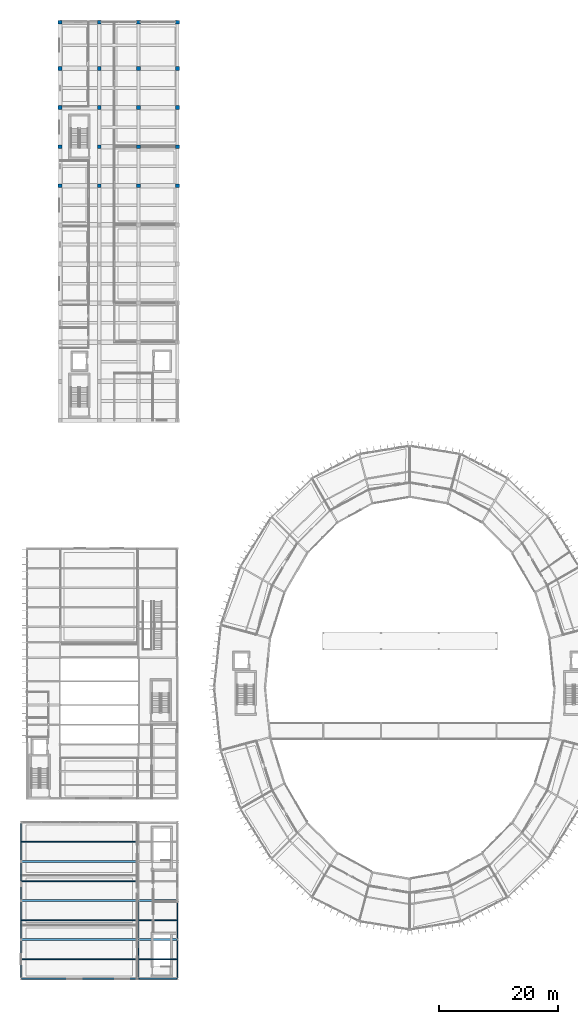
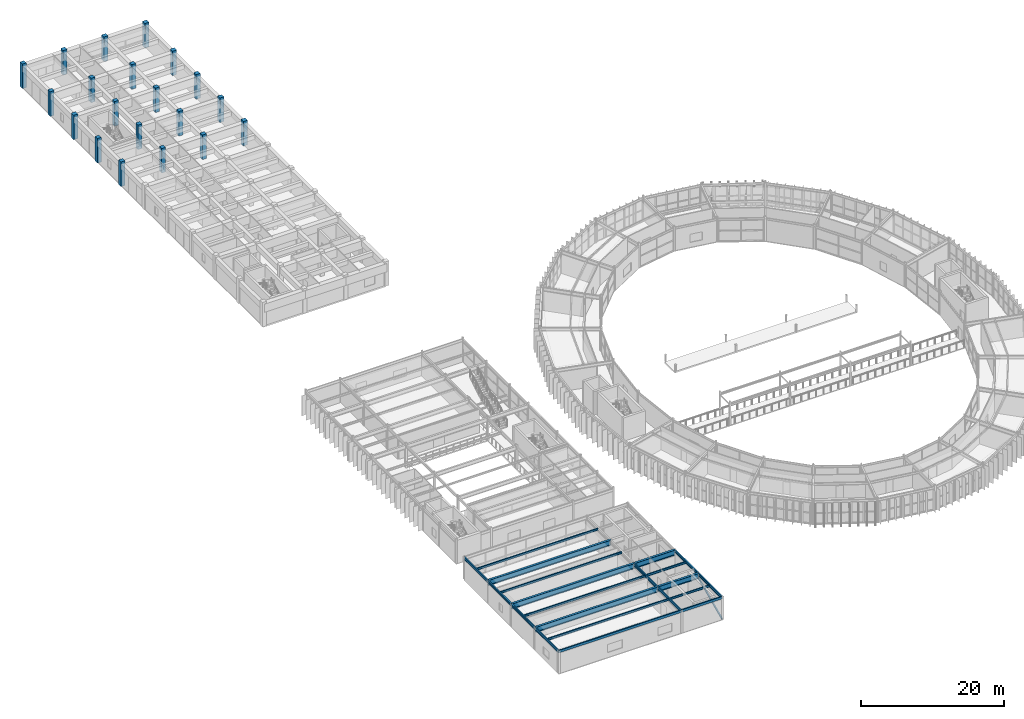
# One storey, part 18 of 147: 21 beams, 20 columns, 1 member.
"""IFC4 building model written with IfcOpenShell, lengths in metres."""

from ifc_helpers import new_model, si_unit, direction, frame, origin, origin_2d, place, context, subcontext, project, spatial, rectangle, hollow_rectangle, i_section, extrude, material, material_profile, profile_set, type_object, element, save


model = new_model("IFC4")

# Units and contexts
model_context = context("Model", 3, precision=1e-05, world=origin(), true_north=direction((0.0, 1.0)))
body_context = subcontext(model_context, "Body", "Model", "MODEL_VIEW")
ifc_project = project(units=[si_unit("LENGTHUNIT", "METRE"), si_unit("AREAUNIT", "SQUARE_METRE"), si_unit("VOLUMEUNIT", "CUBIC_METRE"), si_unit("PLANEANGLEUNIT", "RADIAN"), si_unit("MASSUNIT", "GRAM", prefix="KILO")], contexts=[model_context])

# Site, building, storey
site_placement = place(None, origin())
site = spatial("IfcSite", under=ifc_project, at=site_placement, CompositionType="ELEMENT")
building_placement = place(site_placement, origin())
building = spatial("IfcBuilding", under=site, at=building_placement, Name="Karori Crest Natural Sciences Institute", CompositionType="ELEMENT")
storey_placement = place(building_placement, frame((0.0, 0.0, 9.10009765625)))
storey = spatial("IfcBuildingStorey", under=building, at=storey_placement, Name="L02", CompositionType="ELEMENT", Elevation=9.10009765625)

# Columns
ifc_material_1 = material(Name="Concrete 50 MPa", Category="concrete")
ifc_material_profile_1 = material_profile(ifc_material_1, rectangle(XDim=0.64990234375, YDim=0.64990234375, at=origin_2d()), Name="RC650x650")
ifc_profile_set_1 = profile_set([ifc_material_profile_1], Name="Concrete 50 MPa")
column_type_1 = type_object("IfcColumnType", Name="CT-19", PredefinedType="COLUMN", material=ifc_profile_set_1)
for number, where, z_axis, x_axis, name in (
    (1, (7.39990234375, 134.60009765625, 0.0), (0.0, 0.0, 1.0), (1.0, 0.0, 0.0), "Column C-0758"),
    (2, (7.39990234375, 141.199951171875, 0.0), (0.0, 0.0, 1.0), (1.0, 0.0, 0.0), "Column C-0765"),
    (3, (7.39990234375, 147.800048828125, 0.0), (0.0, 0.0, 1.0), (1.0, 0.0, 0.0), "Column C-0772"),
    (4, (7.39990234375, 154.39990234375, 0.0), (0.0, 0.0, 1.0), (1.0, 0.0, 0.0), "Column C-0779"),
    (5, (7.39990234375, 162.199951171875, 0.0), (0.0, 0.0, 1.0), (1.0, 0.0, 0.0), "Column C-0784"),
    (6, (14.0, 162.199951171875, 0.0), (0.0, 0.0, 1.0), (1.0, 0.0, 0.0), "Column C-0861"),
    (7, (20.60009765625, 162.199951171875, 0.0), (0.0, 0.0, 1.0), (1.0, 0.0, 0.0), "Column C-0938"),
    (8, (27.199951171875, 134.60009765625, 0.0), (0.0, 0.0, 1.0), (1.0, 0.0, 0.0), "Column C-0989"),
    (9, (27.199951171875, 141.199951171875, 0.0), (0.0, 0.0, 1.0), (1.0, 0.0, 0.0), "Column C-0996"),
    (10, (27.199951171875, 147.800048828125, 0.0), (0.0, 0.0, 1.0), (1.0, 0.0, 0.0), "Column C-1003"),
    (11, (27.199951171875, 154.39990234375, 0.0), (0.0, 0.0, 1.0), (1.0, 0.0, 0.0), "Column C-1010"),
    (12, (27.199951171875, 162.199951171875, 0.0), (0.0, 0.0, 1.0), (1.0, 0.0, 0.0), "Column C-1015"),
):
    element("IfcColumn", number, at=place(storey_placement, frame(where, z_axis=z_axis, x_axis=x_axis)), inside=storey, type_object=column_type_1, Name=name, PredefinedType="COLUMN", context=body_context, shape_type="SweptSolid", body=[
        extrude(rectangle(XDim=0.64990234375, YDim=0.64990234375, at=origin_2d()), origin(), (0.0, 0.0, 1.0), 4.199951171875),
    ])
ifc_material_profile_2 = material_profile(ifc_material_1, rectangle(XDim=0.64990234375, YDim=0.64990234375, at=origin_2d()), Name="RC650x650")
ifc_profile_set_2 = profile_set([ifc_material_profile_2], Name="Concrete 50 MPa")
column_type_2 = type_object("IfcColumnType", Name="CT-19-IL", PredefinedType="COLUMN", material=ifc_profile_set_2)
for number, where, z_axis, x_axis, name in (
    (13, (14.0, 134.60009765625, 0.0), (0.0, 0.0, 1.0), (1.0, 0.0, 0.0), "Column C-0835"),
    (14, (14.0, 141.199951171875, 0.0), (0.0, 0.0, 1.0), (1.0, 0.0, 0.0), "Column C-0842"),
    (15, (14.0, 147.800048828125, 0.0), (0.0, 0.0, 1.0), (1.0, 0.0, 0.0), "Column C-0849"),
    (16, (14.0, 154.39990234375, 0.0), (0.0, 0.0, 1.0), (1.0, 0.0, 0.0), "Column C-0856"),
    (17, (20.60009765625, 134.60009765625, 0.0), (0.0, 0.0, 1.0), (1.0, 0.0, 0.0), "Column C-0912"),
    (18, (20.60009765625, 141.199951171875, 0.0), (0.0, 0.0, 1.0), (1.0, 0.0, 0.0), "Column C-0919"),
    (19, (20.60009765625, 147.800048828125, 0.0), (0.0, 0.0, 1.0), (1.0, 0.0, 0.0), "Column C-0926"),
    (20, (20.60009765625, 154.39990234375, 0.0), (0.0, 0.0, 1.0), (1.0, 0.0, 0.0), "Column C-0933"),
):
    element("IfcColumn", number, at=place(storey_placement, frame(where, z_axis=z_axis, x_axis=x_axis)), inside=storey, type_object=column_type_2, Name=name, PredefinedType="COLUMN", context=body_context, shape_type="SweptSolid", body=[
        extrude(rectangle(XDim=0.64990234375, YDim=0.64990234375, at=origin_2d()), origin(), (0.0, 0.0, 1.0), 4.199951171875),
    ])

# Beams
ifc_material_2 = material(Name="Structural steel AS/NZS 3679.1 Grade 350", Category="steel")
ifc_material_profile_3 = material_profile(ifc_material_2, i_section(OverallWidth=0.35009765625, OverallDepth=0.907958984375, WebThickness=0.01611328125, FlangeThickness=0.028076171875, FilletRadius=0.01611328125, at=origin_2d()), Name="900WB257")
ifc_profile_set_3 = profile_set([ifc_material_profile_3], Name="Structural steel AS/NZS 3679.1 Grade 350")
beam_type_1 = type_object("IfcBeamType", Name="BT-01", PredefinedType="BEAM", material=ifc_profile_set_3)
beam_1_placement = place(storey_placement, frame((0.800048828125, 7.39990234375, 3.4658203125), z_axis=(1.0, 0.0, 0.0), x_axis=(0.0, 1.0, 0.0)))
element("IfcBeam", 21, at=beam_1_placement, inside=storey, type_object=beam_type_1, Name="Beam B-0845", PredefinedType="BEAM", context=body_context, shape_type="SweptSolid", body=[
    extrude(i_section(OverallWidth=0.35009765625, OverallDepth=0.907958984375, WebThickness=0.01611328125, FlangeThickness=0.028076171875, FilletRadius=0.01611328125, at=origin_2d()), origin(), (0.0, 0.0, 1.0), 19.800048828125),
])
beam_2_placement = place(storey_placement, frame((20.60009765625, 7.39990234375, 3.4658203125), z_axis=(1.0, 0.0, 0.0), x_axis=(0.0, 1.0, 0.0)))
element("IfcBeam", 22, at=beam_2_placement, inside=storey, type_object=beam_type_1, Name="Beam B-0846", PredefinedType="BEAM", context=body_context, shape_type="SweptSolid", body=[
    extrude(i_section(OverallWidth=0.35009765625, OverallDepth=0.907958984375, WebThickness=0.01611328125, FlangeThickness=0.028076171875, FilletRadius=0.01611328125, at=origin_2d()), origin(), (0.0, 0.0, 1.0), 6.599853515625),
])
beam_3_placement = place(storey_placement, frame((0.800048828125, 14.0, 3.4658203125), z_axis=(1.0, 0.0, 0.0), x_axis=(0.0, 1.0, 0.0)))
element("IfcBeam", 23, at=beam_3_placement, inside=storey, type_object=beam_type_1, Name="Beam B-0847", PredefinedType="BEAM", context=body_context, shape_type="SweptSolid", body=[
    extrude(i_section(OverallWidth=0.35009765625, OverallDepth=0.907958984375, WebThickness=0.01611328125, FlangeThickness=0.028076171875, FilletRadius=0.01611328125, at=origin_2d()), origin(), (0.0, 0.0, 1.0), 19.800048828125),
])
beam_4_placement = place(storey_placement, frame((20.60009765625, 14.0, 3.4658203125), z_axis=(1.0, 0.0, 0.0), x_axis=(0.0, 1.0, 0.0)))
element("IfcBeam", 24, at=beam_4_placement, inside=storey, type_object=beam_type_1, Name="Beam B-0848", PredefinedType="BEAM", context=body_context, shape_type="SweptSolid", body=[
    extrude(i_section(OverallWidth=0.35009765625, OverallDepth=0.907958984375, WebThickness=0.01611328125, FlangeThickness=0.028076171875, FilletRadius=0.01611328125, at=origin_2d()), origin(), (0.0, 0.0, 1.0), 6.599853515625),
])
beam_5_placement = place(storey_placement, frame((0.800048828125, 20.60009765625, 3.4658203125), z_axis=(1.0, 0.0, 0.0), x_axis=(0.0, 1.0, 0.0)))
element("IfcBeam", 25, at=beam_5_placement, inside=storey, type_object=beam_type_1, Name="Beam B-0849", PredefinedType="BEAM", context=body_context, shape_type="SweptSolid", body=[
    extrude(i_section(OverallWidth=0.35009765625, OverallDepth=0.907958984375, WebThickness=0.01611328125, FlangeThickness=0.028076171875, FilletRadius=0.01611328125, at=origin_2d()), origin(), (0.0, 0.0, 1.0), 19.800048828125),
])
ifc_material_profile_4 = material_profile(ifc_material_2, i_section(OverallWidth=0.19091796875, OverallDepth=0.4599609375, WebThickness=0.010009765625, FlangeThickness=0.01611328125, FilletRadius=0.010986328125, at=origin_2d()), Name="460UB82.1")
ifc_profile_set_4 = profile_set([ifc_material_profile_4], Name="Structural steel AS/NZS 3679.1 Grade 350")
beam_type_2 = type_object("IfcBeamType", Name="BT-06", PredefinedType="BEAM", material=ifc_profile_set_4)
beam_6_placement = place(storey_placement, frame((20.60009765625, 0.800048828125, 3.68994140625), z_axis=(0.0, 1.0, 0.0), x_axis=(-1.0, 0.0, 0.0)))
element("IfcBeam", 26, at=beam_6_placement, inside=storey, type_object=beam_type_2, Name="Beam B-0857", PredefinedType="BEAM", context=body_context, shape_type="SweptSolid", body=[
    extrude(i_section(OverallWidth=0.19091796875, OverallDepth=0.4599609375, WebThickness=0.010009765625, FlangeThickness=0.01611328125, FilletRadius=0.010986328125, at=origin_2d()), origin(), (0.0, 0.0, 1.0), 6.599853515625),
])
beam_7_placement = place(storey_placement, frame((20.60009765625, 7.39990234375, 3.68994140625), z_axis=(0.0, 1.0, 0.0), x_axis=(-1.0, 0.0, 0.0)))
element("IfcBeam", 27, at=beam_7_placement, inside=storey, type_object=beam_type_2, Name="Beam B-0858", PredefinedType="BEAM", context=body_context, shape_type="SweptSolid", body=[
    extrude(i_section(OverallWidth=0.19091796875, OverallDepth=0.4599609375, WebThickness=0.010009765625, FlangeThickness=0.01611328125, FilletRadius=0.010986328125, at=origin_2d()), origin(), (0.0, 0.0, 1.0), 6.60009765625),
])
ifc_material_profile_5 = material_profile(ifc_material_2, i_section(OverallWidth=0.19091796875, OverallDepth=0.4599609375, WebThickness=0.010009765625, FlangeThickness=0.01611328125, FilletRadius=0.010986328125, at=origin_2d()), Name="460UB82.1")
ifc_profile_set_5 = profile_set([ifc_material_profile_5], Name="Structural steel AS/NZS 3679.1 Grade 350")
beam_type_3 = type_object("IfcBeamType", Name="BT-06-EL", PredefinedType="BEAM", material=ifc_profile_set_5)
beam_8_placement = place(storey_placement, frame((0.800048828125, 0.800048828125, 3.68994140625), z_axis=(0.0, 1.0, 0.0), x_axis=(-1.0, 0.0, 0.0)))
element("IfcBeam", 28, at=beam_8_placement, inside=storey, type_object=beam_type_3, Name="Beam B-0853", PredefinedType="BEAM", context=body_context, shape_type="SweptSolid", body=[
    extrude(i_section(OverallWidth=0.19091796875, OverallDepth=0.4599609375, WebThickness=0.010009765625, FlangeThickness=0.01611328125, FilletRadius=0.010986328125, at=origin_2d()), origin(), (0.0, 0.0, 1.0), 6.599853515625),
])
for number, where, z_axis, x_axis, name in (
    (29, (0.800048828125, 7.39990234375, 3.68994140625), (0.0, 1.0, 0.0), (-1.0, 0.0, 0.0), "Beam B-0854"),
    (30, (0.800048828125, 14.0, 3.68994140625), (0.0, 1.0, 0.0), (-1.0, 0.0, 0.0), "Beam B-0855"),
):
    element("IfcBeam", number, at=place(storey_placement, frame(where, z_axis=z_axis, x_axis=x_axis)), inside=storey, type_object=beam_type_3, Name=name, PredefinedType="BEAM", context=body_context, shape_type="SweptSolid", body=[
        extrude(i_section(OverallWidth=0.19091796875, OverallDepth=0.4599609375, WebThickness=0.010009765625, FlangeThickness=0.01611328125, FilletRadius=0.010986328125, at=origin_2d()), origin(), (0.0, 0.0, 1.0), 6.60009765625),
    ])
for number, where, z_axis, x_axis, name in (
    (31, (0.800048828125, 20.60009765625, 3.68994140625), (0.0, 1.0, 0.0), (-1.0, 0.0, 0.0), "Beam B-0856"),
    (32, (27.199951171875, 0.800048828125, 3.68994140625), (0.0, 1.0, 0.0), (-1.0, 0.0, 0.0), "Beam B-0861"),
):
    element("IfcBeam", number, at=place(storey_placement, frame(where, z_axis=z_axis, x_axis=x_axis)), inside=storey, type_object=beam_type_3, Name=name, PredefinedType="BEAM", context=body_context, shape_type="SweptSolid", body=[
        extrude(i_section(OverallWidth=0.19091796875, OverallDepth=0.4599609375, WebThickness=0.010009765625, FlangeThickness=0.01611328125, FilletRadius=0.010986328125, at=origin_2d()), origin(), (0.0, 0.0, 1.0), 6.599853515625),
    ])
beam_9_placement = place(storey_placement, frame((27.199951171875, 7.39990234375, 3.68994140625), z_axis=(0.0, 1.0, 0.0), x_axis=(-1.0, 0.0, 0.0)))
element("IfcBeam", 33, at=beam_9_placement, inside=storey, type_object=beam_type_3, Name="Beam B-0862", PredefinedType="BEAM", context=body_context, shape_type="SweptSolid", body=[
    extrude(i_section(OverallWidth=0.19091796875, OverallDepth=0.4599609375, WebThickness=0.010009765625, FlangeThickness=0.01611328125, FilletRadius=0.010986328125, at=origin_2d()), origin(), (0.0, 0.0, 1.0), 6.60009765625),
])
ifc_material_profile_6 = material_profile(ifc_material_2, i_section(OverallWidth=0.172119140625, OverallDepth=0.35888671875, WebThickness=0.008056640625, FlangeThickness=0.012939453125, FilletRadius=0.010986328125, at=origin_2d()), Name="360UB56.7")
ifc_profile_set_6 = profile_set([ifc_material_profile_6], Name="Structural steel AS/NZS 3679.1 Grade 350")
beam_type_4 = type_object("IfcBeamType", Name="BT-08", PredefinedType="BEAM", material=ifc_profile_set_6)
for number, where, z_axis, x_axis, name in (
    (34, (0.8955078125, 4.10009765625, 3.740478515625), (1.0, 0.0, 0.0), (0.0, 1.0, 0.0), "Beam B-0865"),
    (35, (0.8955078125, 10.699951171875, 3.740478515625), (1.0, 0.0, 0.0), (0.0, 1.0, 0.0), "Beam B-0866"),
    (36, (0.8955078125, 17.300048828125, 3.740478515625), (1.0, 0.0, 0.0), (0.0, 1.0, 0.0), "Beam B-0867"),
    (37, (0.8955078125, 23.89990234375, 3.740478515625), (1.0, 0.0, 0.0), (0.0, 1.0, 0.0), "Beam B-0868"),
):
    element("IfcBeam", number, at=place(storey_placement, frame(where, z_axis=z_axis, x_axis=x_axis)), inside=storey, type_object=beam_type_4, Name=name, PredefinedType="BEAM", context=body_context, shape_type="SweptSolid", body=[
        extrude(i_section(OverallWidth=0.172119140625, OverallDepth=0.35888671875, WebThickness=0.008056640625, FlangeThickness=0.012939453125, FilletRadius=0.010986328125, at=origin_2d()), origin(), (0.0, 0.0, 1.0), 19.60888671875),
    ])
for number, where, z_axis, x_axis, name in (
    (38, (20.695556640625, 4.10009765625, 3.740478515625), (1.0, 0.0, 0.0), (0.0, 1.0, 0.0), "Beam B-0869"),
    (39, (20.695556640625, 10.699951171875, 3.740478515625), (1.0, 0.0, 0.0), (0.0, 1.0, 0.0), "Beam B-0870"),
):
    element("IfcBeam", number, at=place(storey_placement, frame(where, z_axis=z_axis, x_axis=x_axis)), inside=storey, type_object=beam_type_4, Name=name, PredefinedType="BEAM", context=body_context, shape_type="SweptSolid", body=[
        extrude(i_section(OverallWidth=0.172119140625, OverallDepth=0.35888671875, WebThickness=0.008056640625, FlangeThickness=0.012939453125, FilletRadius=0.010986328125, at=origin_2d()), origin(), (0.0, 0.0, 1.0), 6.408935546875),
    ])
ifc_material_3 = material(Name="Hollow structural steel AS/NZS 1163 Grade C350", Category="steel")
ifc_material_profile_7 = material_profile(ifc_material_3, hollow_rectangle(XDim=0.199951171875, YDim=0.39990234375, WallThickness=0.012451171875, at=origin_2d()), Name="RHS400x200x12.5")
ifc_profile_set_7 = profile_set([ifc_material_profile_7], Name="Hollow structural steel AS/NZS 1163 Grade C350")
beam_type_5 = type_object("IfcBeamType", Name="BT-14", PredefinedType="SPANDREL", material=ifc_profile_set_7)
beam_10_placement = place(storey_placement, frame((0.800048828125, 0.800048828125, 3.719970703125), z_axis=(1.0, 0.0, 0.0), x_axis=(0.0, 1.0, 0.0)))
element("IfcBeam", 40, at=beam_10_placement, inside=storey, type_object=beam_type_5, Name="Beam B-0843", PredefinedType="SPANDREL", context=body_context, shape_type="SweptSolid", body=[
    extrude(hollow_rectangle(XDim=0.199951171875, YDim=0.39990234375, WallThickness=0.012451171875, at=origin_2d()), origin(), (0.0, 0.0, 1.0), 19.800048828125),
])
beam_11_placement = place(storey_placement, frame((20.60009765625, 0.800048828125, 3.719970703125), z_axis=(1.0, 0.0, 0.0), x_axis=(0.0, 1.0, 0.0)))
element("IfcBeam", 41, at=beam_11_placement, inside=storey, type_object=beam_type_5, Name="Beam B-0844", PredefinedType="SPANDREL", context=body_context, shape_type="SweptSolid", body=[
    extrude(hollow_rectangle(XDim=0.199951171875, YDim=0.39990234375, WallThickness=0.012451171875, at=origin_2d()), origin(), (0.0, 0.0, 1.0), 6.599853515625),
])

# Member
ifc_material_profile_8 = material_profile(ifc_material_3, hollow_rectangle(XDim=0.199951171875, YDim=0.199951171875, WallThickness=0.010009765625, at=origin_2d()), Name="SHS200x200x10")
ifc_profile_set_8 = profile_set([ifc_material_profile_8], Name="Hollow structural steel AS/NZS 1163 Grade C350")
member_type = type_object("IfcMemberType", Name="MT-04", PredefinedType="BRACE", material=ifc_profile_set_8)
member_placement = place(storey_placement, frame((27.199951171875, 0.800048828125, 0.010009765625), z_axis=(0.0, 0.909740785747, 0.415176712676), x_axis=(-1.0, 0.0, 0.0)))
element("IfcMember", 42, at=member_placement, inside=storey, type_object=member_type, Name="Diagonal Brace M-0247", PredefinedType="BRACE", context=body_context, shape_type="SweptSolid", body=[
    extrude(hollow_rectangle(XDim=0.199951171875, YDim=0.199951171875, WallThickness=0.010009765625, at=origin_2d()), origin(), (0.0, 0.0, 1.0), 7.254638671875),
])

save(model, "model.ifc")
